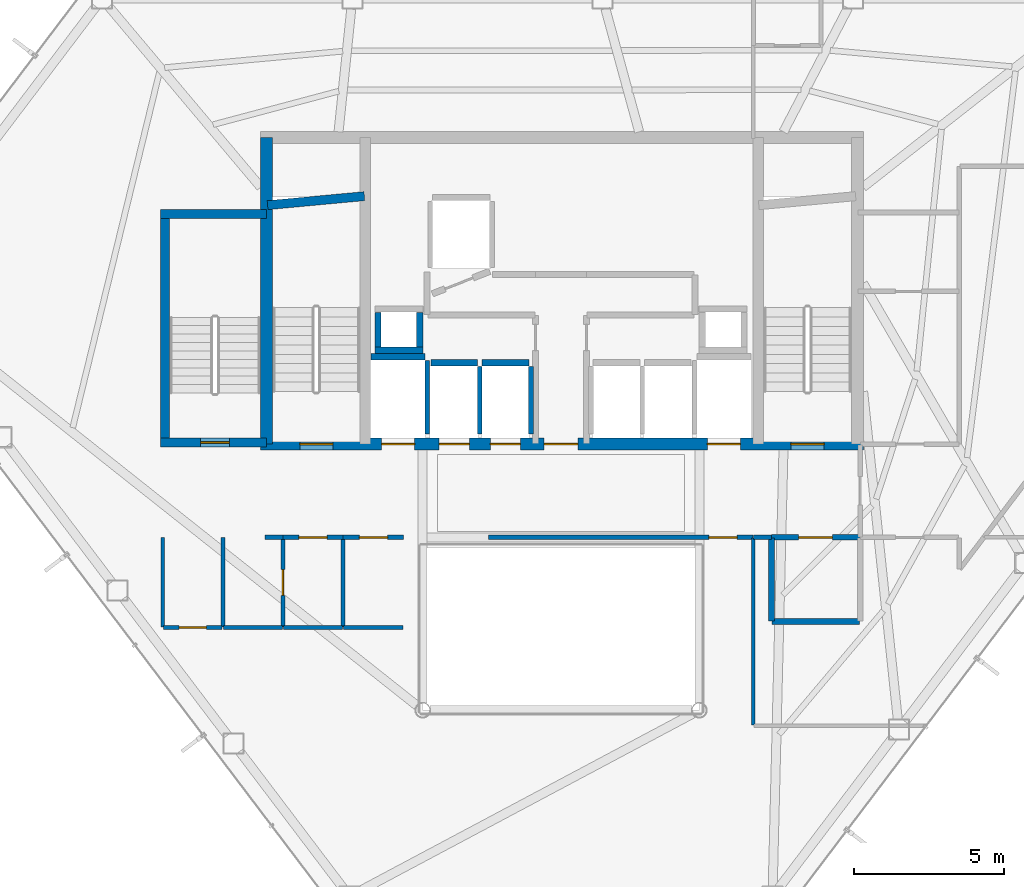
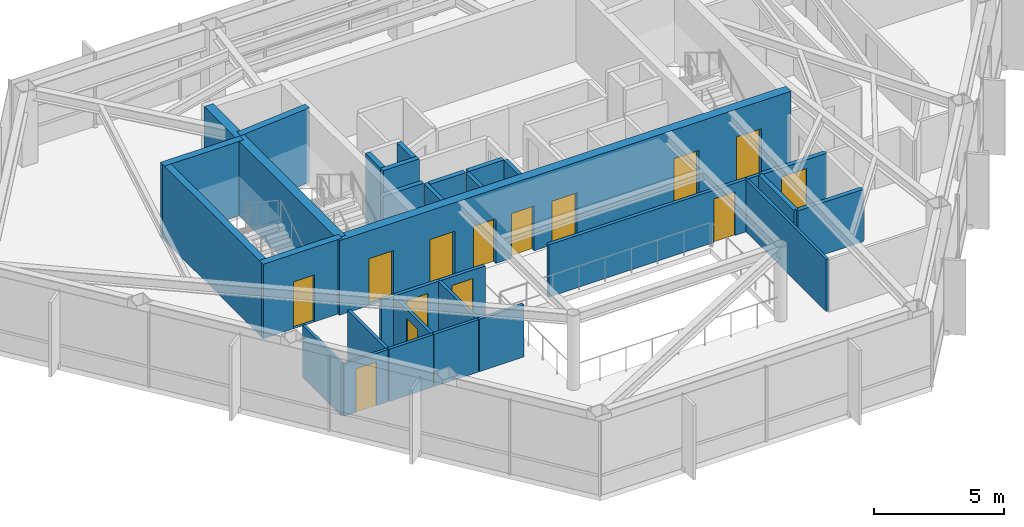
# One storey, part 24 of 27: 32 walls, 14 doors, 14 openings.
"""IFC4 building model written with IfcOpenShell, lengths in metres."""

from ifc_helpers import new_model, si_unit, direction, frame, frame_2d, origin, place, context, subcontext, project, spatial, rectangle, extrude, material, layer, layer_set, type_object, element, fill, save


model = new_model("IFC4")

# Units and contexts
model_context = context("Model", 3, precision=1e-05, world=origin(), true_north=direction((0.0, 1.0)))
body_context = subcontext(model_context, "Body", "Model", "MODEL_VIEW")
ifc_project = project(units=[si_unit("LENGTHUNIT", "METRE"), si_unit("AREAUNIT", "SQUARE_METRE"), si_unit("VOLUMEUNIT", "CUBIC_METRE"), si_unit("PLANEANGLEUNIT", "RADIAN"), si_unit("MASSUNIT", "GRAM", prefix="KILO")], contexts=[model_context])

# Site, building, storey
site_placement = place(None, origin())
site = spatial("IfcSite", under=ifc_project, at=site_placement, CompositionType="ELEMENT")
building_placement = place(site_placement, origin())
building = spatial("IfcBuilding", under=site, at=building_placement, Name="Zarrinselat Tower", CompositionType="ELEMENT")
storey_placement = place(building_placement, frame((0.0, 0.0, 179.52001953125)))
storey = spatial("IfcBuildingStorey", under=building, at=storey_placement, Name="L44", CompositionType="ELEMENT", Elevation=179.52001953125)

# Wall, opening, door
ifc_material_1 = material(Name="Concrete C40/50", Category="concrete")
ifc_layer_1 = layer(ifc_material_1, 0.18994140625)
ifc_layer_set_1 = layer_set([ifc_layer_1], Name="Concrete C40/50")
wall_type_1 = type_object("IfcWallType", Name="WAL-PART-EI120", PredefinedType="PARTITIONING", material=ifc_layer_set_1)
wall_1_placement = place(storey_placement, frame((45.405029296875, 30.14990234375, 0.0), z_axis=(0.0, 0.0, 1.0), x_axis=(1.0, 0.0, 0.0)))
wall_1 = element("IfcWall", 1, at=wall_1_placement, inside=storey, type_object=wall_type_1, Name="L44 Partition Wall 10", PredefinedType="PARTITIONING", context=body_context, shape_type="SweptSolid", body=[
    extrude(rectangle(XDim=2.925048828125, YDim=0.18994140625, at=frame_2d((1.46240234375, 0.0))), origin(), (0.0, 0.0, 1.0), 2.45703125),
])
opening_1_placement = place(wall_1_placement, frame((0.902587890625, 0.0, 0.0)))
opening_1 = element("IfcOpeningElement", 2, at=opening_1_placement, cuts=wall_1, Name="Opening ID-02", PredefinedType="OPENING", context=body_context, shape_type="SweptSolid", body=[
    extrude(rectangle(XDim=1.1201171875, YDim=2.050048828125, at=frame_2d((0.56005859375, 1.02490234375))), frame((0.0, 0.10498046875, 0.0), z_axis=(0.0, -1.0, 0.0), x_axis=(1.0, 0.0, 0.0)), (0.0, 0.0, 1.0), 0.2099609375),
])
ifc_material_2 = material(Name="Steel S355J2", Category="steel")
door_type_1 = type_object("IfcDoorType", Name="DR-INT-FD60-W", OperationType="NOTDEFINED", PredefinedType="DOOR", material=ifc_material_2)
door_1_placement = place(opening_1_placement, origin())
door_1 = element("IfcDoor", 3, at=door_1_placement, inside=storey, type_object=door_type_1, Name="L44 Interior Door P10", OperationType="SINGLE_SWING_RIGHT", OverallHeight=2.050048828125, OverallWidth=1.1201171875, PredefinedType="DOOR", context=body_context, shape_type="SweptSolid", body=[
    extrude(rectangle(XDim=1.1201171875, YDim=2.050048828125, at=frame_2d((0.56005859375, 1.02490234375))), frame((0.0, 0.02490234375, 0.0), z_axis=(0.0, -1.0, 0.0), x_axis=(1.0, 0.0, 0.0)), (0.0, 0.0, 1.0), 0.050048828125),
])
fill(opening_1, door_1)

# Walls
wall_2_placement = place(storey_placement, frame((45.419921875, 27.35009765625, 0.0), z_axis=(0.0, 0.0, 1.0), x_axis=(1.0, 0.0, 0.0)))
element("IfcWall", 4, at=wall_2_placement, inside=storey, type_object=wall_type_1, Name="L44 Partition Wall 17", PredefinedType="PARTITIONING", context=body_context, shape_type="SweptSolid", body=[
    extrude(rectangle(XDim=2.91015625, YDim=0.18994140625, at=frame_2d((1.455078125, 0.0))), origin(), (0.0, 0.0, 1.0), 2.45703125),
])
wall_3_placement = place(storey_placement, frame((45.39990234375, 27.3701171875, 0.0), z_axis=(0.0, 0.0, 1.0), x_axis=(0.0, 1.0, 0.0)))
element("IfcWall", 5, at=wall_3_placement, inside=storey, type_object=wall_type_1, Name="L44 Partition Wall 18", PredefinedType="PARTITIONING", context=body_context, shape_type="SweptSolid", body=[
    extrude(rectangle(XDim=2.759765625, YDim=0.18994140625, at=frame_2d((1.3798828125, 0.0))), origin(), (0.0, 0.0, 1.0), 2.45703125),
])
ifc_material_3 = material(Name="Fire-Rated Gypsum Board Partition", Category="gypsum")
ifc_layer_2 = layer(ifc_material_3, 0.14990234375)
ifc_layer_set_2 = layer_set([ifc_layer_2], Name="Fire-Rated Gypsum Board Partition")
wall_type_2 = type_object("IfcWallType", Name="WAL-PART-EI60", PredefinedType="PARTITIONING", material=ifc_layer_set_2)
wall_4_placement = place(storey_placement, frame((28.550048828125, 30.14990234375, 0.0), z_axis=(0.0, 0.0, 1.0), x_axis=(1.0, 0.0, 0.0)))
element("IfcWall", 6, at=wall_4_placement, inside=storey, type_object=wall_type_2, Name="L44 Partition Wall 12", PredefinedType="PARTITIONING", context=body_context, shape_type="SweptSolid", body=[
    extrude(rectangle(XDim=0.594970703125, YDim=0.14990234375, at=frame_2d((0.29736328125, 0.0))), origin(), (0.0, 0.0, 1.0), 2.45703125),
])

# Wall, opening, door
wall_5_placement = place(storey_placement, frame((29.155029296875, 30.14990234375, 0.0), z_axis=(0.0, 0.0, 1.0), x_axis=(1.0, 0.0, 0.0)))
wall_5 = element("IfcWall", 7, at=wall_5_placement, inside=storey, type_object=wall_type_2, Name="L44 Partition Wall 13", PredefinedType="PARTITIONING", context=body_context, shape_type="SweptSolid", body=[
    extrude(rectangle(XDim=1.989990234375, YDim=0.14990234375, at=frame_2d((0.9951171875, 0.0))), origin(), (0.0, 0.0, 1.0), 2.45703125),
])
opening_2_placement = place(wall_5_placement, frame((0.52490234375, 0.0, 0.0)))
opening_2 = element("IfcOpeningElement", 8, at=opening_2_placement, cuts=wall_5, Name="Opening ID-04", PredefinedType="OPENING", context=body_context, shape_type="SweptSolid", body=[
    extrude(rectangle(XDim=0.93994140625, YDim=2.050048828125, at=frame_2d((0.469970703125, 1.02490234375))), frame((0.0, 0.0849609375, 0.0), z_axis=(0.0, -1.0, 0.0), x_axis=(1.0, 0.0, 0.0)), (0.0, 0.0, 1.0), 0.169921875),
])
ifc_material_4 = material(Name="Fire-Rated Gypsum Board Partition")
door_type_2 = type_object("IfcDoorType", Name="DR-INT-FD30-ENT", OperationType="NOTDEFINED", PredefinedType="DOOR", material=ifc_material_4)
door_2_placement = place(opening_2_placement, origin())
door_2 = element("IfcDoor", 9, at=door_2_placement, inside=storey, type_object=door_type_2, Name="L44 Interior Door P13", OperationType="SINGLE_SWING_RIGHT", OverallHeight=2.050048828125, OverallWidth=0.93994140625, PredefinedType="DOOR", context=body_context, shape_type="SweptSolid", body=[
    extrude(rectangle(XDim=0.93994140625, YDim=2.050048828125, at=frame_2d((0.469970703125, 1.02490234375))), frame((0.0, 0.02490234375, 0.0), z_axis=(0.0, -1.0, 0.0), x_axis=(1.0, 0.0, 0.0)), (0.0, 0.0, 1.0), 0.050048828125),
])
fill(opening_2, door_2)

wall_6_placement = place(storey_placement, frame((31.155029296875, 30.14990234375, 0.0), z_axis=(0.0, 0.0, 1.0), x_axis=(1.0, 0.0, 0.0)))
wall_6 = element("IfcWall", 10, at=wall_6_placement, inside=storey, type_object=wall_type_2, Name="L44 Partition Wall 14", PredefinedType="PARTITIONING", context=body_context, shape_type="SweptSolid", body=[
    extrude(rectangle(XDim=2.010009765625, YDim=0.14990234375, at=frame_2d((1.0048828125, 0.0))), origin(), (0.0, 0.0, 1.0), 2.45703125),
])
opening_3_placement = place(wall_6_placement, frame((0.534912109375, 0.0, 0.0)))
opening_3 = element("IfcOpeningElement", 11, at=opening_3_placement, cuts=wall_6, Name="Opening ID-04", PredefinedType="OPENING", context=body_context, shape_type="SweptSolid", body=[
    extrude(rectangle(XDim=0.93994140625, YDim=2.050048828125, at=frame_2d((0.469970703125, 1.02490234375))), frame((0.0, 0.0849609375, 0.0), z_axis=(0.0, -1.0, 0.0), x_axis=(1.0, 0.0, 0.0)), (0.0, 0.0, 1.0), 0.169921875),
])
door_3_placement = place(opening_3_placement, origin())
door_3 = element("IfcDoor", 12, at=door_3_placement, inside=storey, type_object=door_type_2, Name="L44 Interior Door P14", OperationType="SINGLE_SWING_LEFT", OverallHeight=2.050048828125, OverallWidth=0.93994140625, PredefinedType="DOOR", context=body_context, shape_type="SweptSolid", body=[
    extrude(rectangle(XDim=0.93994140625, YDim=2.050048828125, at=frame_2d((0.469970703125, 1.02490234375))), frame((0.0, 0.02490234375, 0.0), z_axis=(0.0, -1.0, 0.0), x_axis=(1.0, 0.0, 0.0)), (0.0, 0.0, 1.0), 0.050048828125),
])
fill(opening_3, door_3)

wall_7_placement = place(storey_placement, frame((35.985107421875, 30.14990234375, 0.0), z_axis=(0.0, 0.0, 1.0), x_axis=(1.0, 0.0, 0.0)))
wall_7 = element("IfcWall", 13, at=wall_7_placement, inside=storey, type_object=wall_type_2, Name="L44 Partition Wall 15", PredefinedType="PARTITIONING", context=body_context, shape_type="SweptSolid", body=[
    extrude(rectangle(XDim=8.809814453125, YDim=0.14990234375, at=frame_2d((4.40478515625, 0.0))), origin(), (0.0, 0.0, 1.0), 2.45703125),
])
opening_4_placement = place(wall_7_placement, frame((7.3349609375, 0.0, 0.0)))
opening_4 = element("IfcOpeningElement", 14, at=opening_4_placement, cuts=wall_7, Name="Opening ID-04", PredefinedType="OPENING", context=body_context, shape_type="SweptSolid", body=[
    extrude(rectangle(XDim=0.93994140625, YDim=2.050048828125, at=frame_2d((0.469970703125, 1.02490234375))), frame((0.0, 0.0849609375, 0.0), z_axis=(0.0, -1.0, 0.0), x_axis=(1.0, 0.0, 0.0)), (0.0, 0.0, 1.0), 0.169921875),
])
door_4_placement = place(opening_4_placement, origin())
door_4 = element("IfcDoor", 15, at=door_4_placement, inside=storey, type_object=door_type_2, Name="L44 Interior Door P15", OperationType="SINGLE_SWING_RIGHT", OverallHeight=2.050048828125, OverallWidth=0.93994140625, PredefinedType="DOOR", context=body_context, shape_type="SweptSolid", body=[
    extrude(rectangle(XDim=0.93994140625, YDim=2.050048828125, at=frame_2d((0.469970703125, 1.02490234375))), frame((0.0, 0.02490234375, 0.0), z_axis=(0.0, -1.0, 0.0), x_axis=(1.0, 0.0, 0.0)), (0.0, 0.0, 1.0), 0.050048828125),
])
fill(opening_4, door_4)

# Wall
wall_8_placement = place(storey_placement, frame((44.804931640625, 30.14990234375, 0.0), z_axis=(0.0, 0.0, 1.0), x_axis=(1.0, 0.0, 0.0)))
element("IfcWall", 16, at=wall_8_placement, inside=storey, type_object=wall_type_2, Name="L44 Partition Wall 16", PredefinedType="PARTITIONING", context=body_context, shape_type="SweptSolid", body=[
    extrude(rectangle(XDim=0.590087890625, YDim=0.14990234375, at=frame_2d((0.294921875, 0.0))), origin(), (0.0, 0.0, 1.0), 2.45703125),
])

# Wall, opening, door
ifc_material_5 = material(Name="Fire-Rated Gypsum Board Partition", Category="gypsum")
ifc_layer_3 = layer(ifc_material_5, 0.1201171875)
ifc_layer_set_3 = layer_set([ifc_layer_3], Name="Fire-Rated Gypsum Board Partition")
wall_type_3 = type_object("IfcWallType", Name="WAL-PART-STD", PredefinedType="PARTITIONING", material=ifc_layer_set_3)
wall_9_placement = place(storey_placement, frame((25.169921875, 27.14990234375, 0.0), z_axis=(0.0, 0.0, 1.0), x_axis=(1.0, 0.0, 0.0)))
wall_9 = element("IfcWall", 17, at=wall_9_placement, inside=storey, type_object=wall_type_3, Name="L44 Partition Wall 31", PredefinedType="PARTITIONING", context=body_context, shape_type="SweptSolid", body=[
    extrude(rectangle(XDim=1.9599609375, YDim=0.1201171875, at=frame_2d((0.97998046875, 0.0))), origin(), (0.0, 0.0, 1.0), 2.45703125),
])
opening_5_placement = place(wall_9_placement, frame((0.530029296875, 0.0, 0.0)))
opening_5 = element("IfcOpeningElement", 18, at=opening_5_placement, cuts=wall_9, Name="Opening ID-05", PredefinedType="OPENING", context=body_context, shape_type="SweptSolid", body=[
    extrude(rectangle(XDim=0.89990234375, YDim=2.050048828125, at=frame_2d((0.449951171875, 1.02490234375))), frame((0.0, 0.070068359375, 0.0), z_axis=(0.0, -1.0, 0.0), x_axis=(1.0, 0.0, 0.0)), (0.0, 0.0, 1.0), 0.14013671875),
])
ifc_material_6 = material(Name="Extruded Aluminium Alloy EN AW-6063 T6", Category="aluminium")
door_type_3 = type_object("IfcDoorType", Name="DR-INT-STD-920", OperationType="NOTDEFINED", PredefinedType="DOOR", material=ifc_material_6)
door_5_placement = place(opening_5_placement, origin())
door_5 = element("IfcDoor", 19, at=door_5_placement, inside=storey, type_object=door_type_3, Name="L44 Interior Door P31", OperationType="SINGLE_SWING_LEFT", OverallHeight=2.050048828125, OverallWidth=0.89990234375, PredefinedType="DOOR", context=body_context, shape_type="SweptSolid", body=[
    extrude(rectangle(XDim=0.89990234375, YDim=2.050048828125, at=frame_2d((0.449951171875, 1.02490234375))), frame((0.0, 0.02490234375, 0.0), z_axis=(0.0, -1.0, 0.0), x_axis=(1.0, 0.0, 0.0)), (0.0, 0.0, 1.0), 0.050048828125),
])
fill(opening_5, door_5)

# Walls
wall_10_placement = place(storey_placement, frame((25.14990234375, 27.169921875, 0.0), z_axis=(0.0, 0.0, 1.0), x_axis=(0.0, 1.0, 0.0)))
element("IfcWall", 20, at=wall_10_placement, inside=storey, type_object=wall_type_3, Name="L44 Partition Wall 32", PredefinedType="PARTITIONING", context=body_context, shape_type="SweptSolid", body=[
    extrude(rectangle(XDim=2.97998046875, YDim=0.1201171875, at=frame_2d((1.489990234375, 0.0))), origin(), (0.0, 0.0, 1.0), 2.45703125),
])
wall_11_placement = place(storey_placement, frame((44.800048828125, 23.902587890625, 0.0), z_axis=(0.0, 0.0, 1.0), x_axis=(0.0, 1.0, 0.0)))
element("IfcWall", 21, at=wall_11_placement, inside=storey, type_object=wall_type_3, Name="L44 Partition Wall 38", PredefinedType="PARTITIONING", context=body_context, shape_type="SweptSolid", body=[
    extrude(rectangle(XDim=6.227294921875, YDim=0.1201171875, at=frame_2d((3.11376953125, 0.0))), origin(), (0.0, 0.0, 1.0), 2.45703125),
])
ifc_material_7 = material(Name="Fire-Rated Gypsum Board Partition", Category="gypsum")
ifc_layer_4 = layer(ifc_material_7, 0.135009765625)
ifc_layer_set_4 = layer_set([ifc_layer_4], Name="Fire-Rated Gypsum Board Partition")
wall_type_4 = type_object("IfcWallType", Name="WAL-PART-WET", PredefinedType="PARTITIONING", material=ifc_layer_set_4)
wall_12_placement = place(storey_placement, frame((27.14990234375, 27.169921875, 0.0), z_axis=(0.0, 0.0, 1.0), x_axis=(0.0, 1.0, 0.0)))
element("IfcWall", 22, at=wall_12_placement, inside=storey, type_object=wall_type_4, Name="L44 Partition Wall 30", PredefinedType="PARTITIONING", context=body_context, shape_type="SweptSolid", body=[
    extrude(rectangle(XDim=2.97998046875, YDim=0.135009765625, at=frame_2d((1.489990234375, 0.0))), origin(), (0.0, 0.0, 1.0), 2.45703125),
])

# Wall, opening, door
wall_13_placement = place(storey_placement, frame((29.14990234375, 27.169921875, 0.0), z_axis=(0.0, 0.0, 1.0), x_axis=(0.0, 1.0, 0.0)))
wall_13 = element("IfcWall", 23, at=wall_13_placement, inside=storey, type_object=wall_type_4, Name="L44 Partition Wall 33", PredefinedType="PARTITIONING", context=body_context, shape_type="SweptSolid", body=[
    extrude(rectangle(XDim=2.9599609375, YDim=0.135009765625, at=frame_2d((1.47998046875, 0.0))), origin(), (0.0, 0.0, 1.0), 2.45703125),
])
opening_6_placement = place(wall_13_placement, frame((1.050048828125, 0.0, 0.0)))
opening_6 = element("IfcOpeningElement", 24, at=opening_6_placement, cuts=wall_13, Name="Opening ID-06", PredefinedType="OPENING", context=body_context, shape_type="SweptSolid", body=[
    extrude(rectangle(XDim=0.860107421875, YDim=2.050048828125, at=frame_2d((0.43017578125, 1.02490234375))), frame((0.0, 0.077392578125, 0.0), z_axis=(0.0, -1.0, 0.0), x_axis=(1.0, 0.0, 0.0)), (0.0, 0.0, 1.0), 0.155029296875),
])
ifc_material_8 = material(Name="Extruded Aluminium Alloy EN AW-6063 T6", Category="aluminium")
door_type_4 = type_object("IfcDoorType", Name="DR-INT-WET-900", OperationType="NOTDEFINED", PredefinedType="DOOR", material=ifc_material_8)
door_6_placement = place(opening_6_placement, origin())
door_6 = element("IfcDoor", 25, at=door_6_placement, inside=storey, type_object=door_type_4, Name="L44 Interior Door P33", OperationType="SINGLE_SWING_RIGHT", OverallHeight=2.050048828125, OverallWidth=0.860107421875, PredefinedType="DOOR", context=body_context, shape_type="SweptSolid", body=[
    extrude(rectangle(XDim=0.860107421875, YDim=2.050048828125, at=frame_2d((0.43017578125, 1.02490234375))), frame((0.0, 0.02490234375, 0.0), z_axis=(0.0, -1.0, 0.0), x_axis=(1.0, 0.0, 0.0)), (0.0, 0.0, 1.0), 0.050048828125),
])
fill(opening_6, door_6)

# Walls
wall_14_placement = place(storey_placement, frame((27.169921875, 27.14990234375, 0.0), z_axis=(0.0, 0.0, 1.0), x_axis=(1.0, 0.0, 0.0)))
element("IfcWall", 26, at=wall_14_placement, inside=storey, type_object=wall_type_4, Name="L44 Partition Wall 34", PredefinedType="PARTITIONING", context=body_context, shape_type="SweptSolid", body=[
    extrude(rectangle(XDim=1.9599609375, YDim=0.135009765625, at=frame_2d((0.97998046875, 0.0))), origin(), (0.0, 0.0, 1.0), 2.45703125),
])
wall_15_placement = place(storey_placement, frame((31.14990234375, 27.169921875, 0.0), z_axis=(0.0, 0.0, 1.0), x_axis=(0.0, 1.0, 0.0)))
element("IfcWall", 27, at=wall_15_placement, inside=storey, type_object=wall_type_4, Name="L44 Partition Wall 35", PredefinedType="PARTITIONING", context=body_context, shape_type="SweptSolid", body=[
    extrude(rectangle(XDim=2.9599609375, YDim=0.135009765625, at=frame_2d((1.47998046875, 0.0))), origin(), (0.0, 0.0, 1.0), 2.45703125),
])
wall_16_placement = place(storey_placement, frame((29.169921875, 27.14990234375, 0.0), z_axis=(0.0, 0.0, 1.0), x_axis=(1.0, 0.0, 0.0)))
element("IfcWall", 28, at=wall_16_placement, inside=storey, type_object=wall_type_4, Name="L44 Partition Wall 36", PredefinedType="PARTITIONING", context=body_context, shape_type="SweptSolid", body=[
    extrude(rectangle(XDim=1.9599609375, YDim=0.135009765625, at=frame_2d((0.97998046875, 0.0))), origin(), (0.0, 0.0, 1.0), 2.45703125),
])
wall_17_placement = place(storey_placement, frame((31.169921875, 27.14990234375, 0.0), z_axis=(0.0, 0.0, 1.0), x_axis=(1.0, 0.0, 0.0)))
element("IfcWall", 29, at=wall_17_placement, inside=storey, type_object=wall_type_4, Name="L44 Partition Wall 37", PredefinedType="PARTITIONING", context=body_context, shape_type="SweptSolid", body=[
    extrude(rectangle(XDim=1.97998046875, YDim=0.135009765625, at=frame_2d((0.989990234375, 0.0))), origin(), (0.0, 0.0, 1.0), 2.45703125),
])
ifc_material_9 = material(Name="Concrete C40/50", Category="concrete")
ifc_layer_5 = layer(ifc_material_9, 0.2099609375)
ifc_layer_set_5 = layer_set([ifc_layer_5], Name="Concrete C40/50")
wall_type_5 = type_object("IfcWallType", Name="WAL-SHAFT-210", PredefinedType="SOLIDWALL", material=ifc_layer_set_5)
wall_18_placement = place(storey_placement, frame((32.080078125, 36.155029296875, 0.0), z_axis=(0.0, 0.0, 1.0), x_axis=(1.0, 0.0, 0.0)))
element("IfcWall", 30, at=wall_18_placement, inside=storey, type_object=wall_type_5, Name="L44 Lift FFL1 North Shaft Wall", PredefinedType="SOLIDWALL", context=body_context, shape_type="SweptSolid", body=[
    extrude(rectangle(XDim=1.7998046875, YDim=0.2099609375, at=frame_2d((0.89990234375, 0.0))), origin(), (0.0, 0.0, 1.0), 2.471923828125),
])
wall_19_placement = place(storey_placement, frame((33.949951171875, 33.580078125, 0.0), z_axis=(0.0, 0.0, 1.0), x_axis=(0.0, 1.0, 0.0)))
element("IfcWall", 31, at=wall_19_placement, inside=storey, type_object=wall_type_5, Name="L44 Lift FFL1 E Shaft Wall", PredefinedType="SOLIDWALL", context=body_context, shape_type="SweptSolid", body=[
    extrude(rectangle(XDim=2.449951171875, YDim=0.159912109375, at=frame_2d((1.22509765625, 0.0))), origin(), (0.0, 0.0, 1.0), 2.471923828125),
])
wall_20_placement = place(storey_placement, frame((34.070068359375, 35.955078125, 0.0), z_axis=(0.0, 0.0, 1.0), x_axis=(1.0, 0.0, 0.0)))
element("IfcWall", 32, at=wall_20_placement, inside=storey, type_object=wall_type_5, Name="L44 Lift PL5 North Shaft Wall", PredefinedType="SOLIDWALL", context=body_context, shape_type="SweptSolid", body=[
    extrude(rectangle(XDim=1.559814453125, YDim=0.2099609375, at=frame_2d((0.77978515625, 0.0))), origin(), (0.0, 0.0, 1.0), 2.471923828125),
])
wall_21_placement = place(storey_placement, frame((35.699951171875, 33.580078125, 0.0), z_axis=(0.0, 0.0, 1.0), x_axis=(0.0, 1.0, 0.0)))
element("IfcWall", 33, at=wall_21_placement, inside=storey, type_object=wall_type_5, Name="L44 Lift PL5 E Shaft Wall", PredefinedType="SOLIDWALL", context=body_context, shape_type="SweptSolid", body=[
    extrude(rectangle(XDim=2.25, YDim=0.159912109375, at=frame_2d((1.125, 0.0))), origin(), (0.0, 0.0, 1.0), 2.471923828125),
])
wall_22_placement = place(storey_placement, frame((35.77001953125, 35.955078125, 0.0), z_axis=(0.0, 0.0, 1.0), x_axis=(1.0, 0.0, 0.0)))
element("IfcWall", 34, at=wall_22_placement, inside=storey, type_object=wall_type_5, Name="L44 Lift PL6 North Shaft Wall", PredefinedType="SOLIDWALL", context=body_context, shape_type="SweptSolid", body=[
    extrude(rectangle(XDim=1.56005859375, YDim=0.2099609375, at=frame_2d((0.780029296875, 0.0))), origin(), (0.0, 0.0, 1.0), 2.471923828125),
])
wall_23_placement = place(storey_placement, frame((37.39990234375, 33.580078125, 0.0), z_axis=(0.0, 0.0, 1.0), x_axis=(0.0, 1.0, 0.0)))
element("IfcWall", 35, at=wall_23_placement, inside=storey, type_object=wall_type_5, Name="L44 Lift PL6 E Shaft Wall", PredefinedType="SOLIDWALL", context=body_context, shape_type="SweptSolid", body=[
    extrude(rectangle(XDim=2.25, YDim=0.159912109375, at=frame_2d((1.125, 0.0))), origin(), (0.0, 0.0, 1.0), 2.471923828125),
])
wall_24_placement = place(storey_placement, frame((32.2099609375, 36.375, 0.0), z_axis=(0.0, 0.0, 1.0), x_axis=(1.0, 0.0, 0.0)))
element("IfcWall", 36, at=wall_24_placement, inside=storey, type_object=wall_type_5, Name="L44 Core Riser RSR-W S Shaft Wall", PredefinedType="SOLIDWALL", context=body_context, shape_type="SweptSolid", body=[
    extrude(rectangle(XDim=1.60009765625, YDim=0.2099609375, at=frame_2d((0.800048828125, 0.0))), origin(), (0.0, 0.0, 1.0), 3.5),
])
for number, where, z_axis, x_axis, name in (
    (37, (32.31494140625, 36.485107421875, 0.0), (0.0, 0.0, 1.0), (0.0, 1.0, 0.0), "L44 Core Riser RSR-W W Shaft Wall"),
    (38, (33.705078125, 36.485107421875, 0.0), (0.0, 0.0, 1.0), (0.0, 1.0, 0.0), "L44 Core Riser RSR-W E Shaft Wall"),
):
    element("IfcWall", number, at=place(storey_placement, frame(where, z_axis=z_axis, x_axis=x_axis)), inside=storey, type_object=wall_type_5, Name=name, PredefinedType="SOLIDWALL", context=body_context, shape_type="SweptSolid", body=[
        extrude(rectangle(XDim=1.14990234375, YDim=0.2099609375, at=frame_2d((0.574951171875, 0.0))), origin(), (0.0, 0.0, 1.0), 3.5),
    ])
ifc_material_10 = material(Name="Concrete C40/50", Category="concrete")
ifc_layer_6 = layer(ifc_material_10, 0.300048828125)
ifc_layer_set_6 = layer_set([ifc_layer_6], Name="Concrete C40/50")
wall_type_6 = type_object("IfcWallType", Name="WAL-SHEAR-300", PredefinedType="SHEAR", material=ifc_layer_set_6)
wall_25_placement = place(storey_placement, frame((28.639892578125, 41.199951171875, 0.0), z_axis=(0.0, 0.0, 1.0), x_axis=(0.995687118776, 0.092774789157, 0.0)))
element("IfcWall", 39, at=wall_25_placement, inside=storey, type_object=wall_type_6, Name="L44 Stair 1 North Shaft Wall", PredefinedType="SHEAR", context=body_context, shape_type="SweptSolid", body=[
    extrude(rectangle(XDim=3.234130859375, YDim=0.300048828125, at=frame_2d((1.6171875, 0.0))), origin(), (0.0, 0.0, 1.0), 3.5),
])
wall_26_placement = place(storey_placement, frame((25.080078125, 40.89990234375, 0.0), z_axis=(0.0, 0.0, 1.0), x_axis=(1.0, 0.0, 0.0)))
element("IfcWall", 40, at=wall_26_placement, inside=storey, type_object=wall_type_6, Name="L44 Stair 3 North Shear Wall", PredefinedType="SHEAR", context=body_context, shape_type="SweptSolid", body=[
    extrude(rectangle(XDim=3.52001953125, YDim=0.300048828125, at=frame_2d((1.760009765625, 0.0))), origin(), (0.0, 0.0, 1.0), 3.5),
])

# Wall, opening, door
wall_27_placement = place(storey_placement, frame((25.080078125, 33.300048828125, 0.0), z_axis=(0.0, 0.0, 1.0), x_axis=(1.0, 0.0, 0.0)))
wall_27 = element("IfcWall", 41, at=wall_27_placement, inside=storey, type_object=wall_type_6, Name="L44 Stair 3 South Shear Wall", PredefinedType="SHEAR", context=body_context, shape_type="SweptSolid", body=[
    extrude(rectangle(XDim=3.52001953125, YDim=0.300048828125, at=frame_2d((1.760009765625, 0.0))), origin(), (0.0, 0.0, 1.0), 3.5),
])
opening_7_placement = place(wall_27_placement, frame((1.3349609375, 0.0, 0.0)))
opening_7 = element("IfcOpeningElement", 42, at=opening_7_placement, cuts=wall_27, Name="Opening SD-02", PredefinedType="OPENING", context=body_context, shape_type="SweptSolid", body=[
    extrude(rectangle(XDim=0.949951171875, YDim=2.199951171875, at=frame_2d((0.47509765625, 1.10009765625))), frame((0.0, 0.159912109375, 0.0), z_axis=(0.0, -1.0, 0.0), x_axis=(1.0, 0.0, 0.0)), (0.0, 0.0, 1.0), 0.320068359375),
])
ifc_material_11 = material(Name="Steel S355J2", Category="steel")
door_type_5 = type_object("IfcDoorType", Name="DR-STAIR-1050", OperationType="NOTDEFINED", PredefinedType="DOOR", material=ifc_material_11)
door_7_placement = place(opening_7_placement, origin())
door_7 = element("IfcDoor", 43, at=door_7_placement, inside=storey, type_object=door_type_5, Name="L44 Exit Stair 3 Fire Door", OperationType="SINGLE_SWING_LEFT", OverallHeight=2.199951171875, OverallWidth=0.949951171875, PredefinedType="DOOR", context=body_context, shape_type="SweptSolid", body=[
    extrude(rectangle(XDim=0.949951171875, YDim=2.199951171875, at=frame_2d((0.47509765625, 1.10009765625))), frame((0.0, 0.02490234375, 0.0), z_axis=(0.0, -1.0, 0.0), x_axis=(1.0, 0.0, 0.0)), (0.0, 0.0, 1.0), 0.050048828125),
])
fill(opening_7, door_7)

# Wall
wall_28_placement = place(storey_placement, frame((25.22998046875, 33.300048828125, 0.0), z_axis=(0.0, 0.0, 1.0), x_axis=(0.0, 1.0, 0.0)))
element("IfcWall", 44, at=wall_28_placement, inside=storey, type_object=wall_type_6, Name="L44 Stair 3 West Shear Wall", PredefinedType="SHEAR", context=body_context, shape_type="SweptSolid", body=[
    extrude(rectangle(XDim=7.599853515625, YDim=0.300048828125, at=frame_2d((3.7998046875, 0.0))), origin(), (0.0, 0.0, 1.0), 3.5),
])

# Wall, openings, doors
ifc_material_12 = material(Name="Concrete C60/75", Category="concrete")
ifc_layer_7 = layer(ifc_material_12, 0.39990234375)
ifc_layer_set_7 = layer_set([ifc_layer_7], Name="Concrete C60/75")
wall_type_7 = type_object("IfcWallType", Name="WAL-SHEAR-400", PredefinedType="SHEAR", material=ifc_layer_set_7)
wall_29_placement = place(storey_placement, frame((28.39990234375, 33.25, 0.0), z_axis=(0.0, 0.0, 1.0), x_axis=(1.0, 0.0, 0.0)))
wall_29 = element("IfcWall", 45, at=wall_29_placement, inside=storey, type_object=wall_type_7, Name="L44 South Core Shear Wall", PredefinedType="SHEAR", context=body_context, shape_type="SweptSolid", body=[
    extrude(rectangle(XDim=20.06005859375, YDim=0.39990234375, at=frame_2d((10.030029296875, 0.0))), origin(), (0.0, 0.0, 1.0), 3.5),
])
opening_8_placement = place(wall_29_placement, frame((4.030029296875, 0.0, 0.0)))
opening_8 = element("IfcOpeningElement", 46, at=opening_8_placement, cuts=wall_29, Name="Opening LD-FFL1", PredefinedType="OPENING", context=body_context, shape_type="SweptSolid", body=[
    extrude(rectangle(XDim=1.10009765625, YDim=2.14990234375, at=frame_2d((0.550048828125, 1.074951171875))), frame((0.0, 0.2099609375, 0.0), z_axis=(0.0, -1.0, 0.0), x_axis=(1.0, 0.0, 0.0)), (0.0, 0.0, 1.0), 0.419921875),
])
opening_9_placement = place(wall_29_placement, frame((14.8701171875, 0.0, 0.0)))
opening_9 = element("IfcOpeningElement", 47, at=opening_9_placement, cuts=wall_29, Name="Opening LD-FFL2", PredefinedType="OPENING", context=body_context, shape_type="SweptSolid", body=[
    extrude(rectangle(XDim=1.10009765625, YDim=2.14990234375, at=frame_2d((0.550048828125, 1.074951171875))), frame((0.0, 0.2099609375, 0.0), z_axis=(0.0, -1.0, 0.0), x_axis=(1.0, 0.0, 0.0)), (0.0, 0.0, 1.0), 0.419921875),
])
opening_10_placement = place(wall_29_placement, frame((5.949951171875, 0.0, 0.0)))
opening_10 = element("IfcOpeningElement", 48, at=opening_10_placement, cuts=wall_29, Name="Opening LD-PL5", PredefinedType="OPENING", context=body_context, shape_type="SweptSolid", body=[
    extrude(rectangle(XDim=1.0, YDim=2.10009765625, at=frame_2d((0.5, 1.050048828125))), frame((0.0, 0.2099609375, 0.0), z_axis=(0.0, -1.0, 0.0), x_axis=(1.0, 0.0, 0.0)), (0.0, 0.0, 1.0), 0.419921875),
])
opening_11_placement = place(wall_29_placement, frame((7.64990234375, 0.0, 0.0)))
opening_11 = element("IfcOpeningElement", 49, at=opening_11_placement, cuts=wall_29, Name="Opening LD-PL6", PredefinedType="OPENING", context=body_context, shape_type="SweptSolid", body=[
    extrude(rectangle(XDim=1.0, YDim=2.10009765625, at=frame_2d((0.5, 1.050048828125))), frame((0.0, 0.2099609375, 0.0), z_axis=(0.0, -1.0, 0.0), x_axis=(1.0, 0.0, 0.0)), (0.0, 0.0, 1.0), 0.419921875),
])
opening_12_placement = place(wall_29_placement, frame((1.31005859375, 0.0, 0.0)))
opening_12 = element("IfcOpeningElement", 50, at=opening_12_placement, cuts=wall_29, Name="Opening SD-01", PredefinedType="OPENING", context=body_context, shape_type="SweptSolid", body=[
    extrude(rectangle(XDim=1.10009765625, YDim=2.199951171875, at=frame_2d((0.550048828125, 1.10009765625))), frame((0.0, 0.2099609375, 0.0), z_axis=(0.0, -1.0, 0.0), x_axis=(1.0, 0.0, 0.0)), (0.0, 0.0, 1.0), 0.419921875),
])
opening_13_placement = place(wall_29_placement, frame((9.43994140625, 0.0, 0.0)))
opening_13 = element("IfcOpeningElement", 51, at=opening_13_placement, cuts=wall_29, Name="Opening ID-02", PredefinedType="OPENING", context=body_context, shape_type="SweptSolid", body=[
    extrude(rectangle(XDim=1.1201171875, YDim=2.050048828125, at=frame_2d((0.56005859375, 1.02490234375))), frame((0.0, 0.2099609375, 0.0), z_axis=(0.0, -1.0, 0.0), x_axis=(1.0, 0.0, 0.0)), (0.0, 0.0, 1.0), 0.419921875),
])
opening_14_placement = place(wall_29_placement, frame((17.64990234375, 0.0, 0.0)))
opening_14 = element("IfcOpeningElement", 52, at=opening_14_placement, cuts=wall_29, Name="Opening SD-01", PredefinedType="OPENING", context=body_context, shape_type="SweptSolid", body=[
    extrude(rectangle(XDim=1.10009765625, YDim=2.199951171875, at=frame_2d((0.550048828125, 1.10009765625))), frame((0.0, 0.2099609375, 0.0), z_axis=(0.0, -1.0, 0.0), x_axis=(1.0, 0.0, 0.0)), (0.0, 0.0, 1.0), 0.419921875),
])
door_8_placement = place(opening_13_placement, origin())
door_8 = element("IfcDoor", 53, at=door_8_placement, inside=storey, type_object=door_type_1, Name="L44 Core Service Vestibule Fire Door", OperationType="SINGLE_SWING_RIGHT", OverallHeight=2.050048828125, OverallWidth=1.1201171875, PredefinedType="DOOR", context=body_context, shape_type="SweptSolid", body=[
    extrude(rectangle(XDim=1.1201171875, YDim=2.050048828125, at=frame_2d((0.56005859375, 1.02490234375))), frame((0.0, 0.02490234375, 0.0), z_axis=(0.0, -1.0, 0.0), x_axis=(1.0, 0.0, 0.0)), (0.0, 0.0, 1.0), 0.050048828125),
])
fill(opening_13, door_8)
ifc_material_13 = material(Name="Steel S355J2", Category="steel")
door_type_6 = type_object("IfcDoorType", Name="DR-LIFT-FF-1100", OperationType="NOTDEFINED", PredefinedType="DOOR", material=ifc_material_13)
door_9_placement = place(opening_8_placement, origin())
door_9 = element("IfcDoor", 54, at=door_9_placement, inside=storey, type_object=door_type_6, Name="L44 Lift FFL1 Sliding Landing Door", OperationType="SLIDING_TO_LEFT", OverallHeight=2.14990234375, OverallWidth=1.10009765625, PredefinedType="DOOR", context=body_context, shape_type="SweptSolid", body=[
    extrude(rectangle(XDim=1.10009765625, YDim=2.14990234375, at=frame_2d((0.550048828125, 1.074951171875))), frame((0.0, 0.02490234375, 0.0), z_axis=(0.0, -1.0, 0.0), x_axis=(1.0, 0.0, 0.0)), (0.0, 0.0, 1.0), 0.050048828125),
])
fill(opening_8, door_9)
door_10_placement = place(opening_9_placement, origin())
door_10 = element("IfcDoor", 55, at=door_10_placement, inside=storey, type_object=door_type_6, Name="L44 Lift FFL2 Sliding Landing Door", OperationType="SLIDING_TO_RIGHT", OverallHeight=2.14990234375, OverallWidth=1.10009765625, PredefinedType="DOOR", context=body_context, shape_type="SweptSolid", body=[
    extrude(rectangle(XDim=1.10009765625, YDim=2.14990234375, at=frame_2d((0.550048828125, 1.074951171875))), frame((0.0, 0.02490234375, 0.0), z_axis=(0.0, -1.0, 0.0), x_axis=(1.0, 0.0, 0.0)), (0.0, 0.0, 1.0), 0.050048828125),
])
fill(opening_9, door_10)
ifc_material_14 = material(Name="Steel S355J2", Category="steel")
door_type_7 = type_object("IfcDoorType", Name="DR-LIFT-PS-1000", OperationType="NOTDEFINED", PredefinedType="DOOR", material=ifc_material_14)
door_11_placement = place(opening_10_placement, origin())
door_11 = element("IfcDoor", 56, at=door_11_placement, inside=storey, type_object=door_type_7, Name="L44 Lift PL5 Sliding Landing Door", OperationType="SLIDING_TO_LEFT", OverallHeight=2.10009765625, OverallWidth=1.0, PredefinedType="DOOR", context=body_context, shape_type="SweptSolid", body=[
    extrude(rectangle(XDim=1.0, YDim=2.10009765625, at=frame_2d((0.5, 1.050048828125))), frame((0.0, 0.02490234375, 0.0), z_axis=(0.0, -1.0, 0.0), x_axis=(1.0, 0.0, 0.0)), (0.0, 0.0, 1.0), 0.050048828125),
])
fill(opening_10, door_11)
door_12_placement = place(opening_11_placement, origin())
door_12 = element("IfcDoor", 57, at=door_12_placement, inside=storey, type_object=door_type_7, Name="L44 Lift PL6 Sliding Landing Door", OperationType="SLIDING_TO_RIGHT", OverallHeight=2.10009765625, OverallWidth=1.0, PredefinedType="DOOR", context=body_context, shape_type="SweptSolid", body=[
    extrude(rectangle(XDim=1.0, YDim=2.10009765625, at=frame_2d((0.5, 1.050048828125))), frame((0.0, 0.02490234375, 0.0), z_axis=(0.0, -1.0, 0.0), x_axis=(1.0, 0.0, 0.0)), (0.0, 0.0, 1.0), 0.050048828125),
])
fill(opening_11, door_12)
ifc_material_15 = material(Name="Steel S355J2", Category="steel")
door_type_8 = type_object("IfcDoorType", Name="DR-STAIR-1100", OperationType="NOTDEFINED", PredefinedType="DOOR", material=ifc_material_15)
door_13_placement = place(opening_12_placement, origin())
door_13 = element("IfcDoor", 58, at=door_13_placement, inside=storey, type_object=door_type_8, Name="L44 Exit Stair 1 Fire Door", OperationType="SINGLE_SWING_LEFT", OverallHeight=2.199951171875, OverallWidth=1.10009765625, PredefinedType="DOOR", context=body_context, shape_type="SweptSolid", body=[
    extrude(rectangle(XDim=1.10009765625, YDim=2.199951171875, at=frame_2d((0.550048828125, 1.10009765625))), frame((0.0, 0.02490234375, 0.0), z_axis=(0.0, -1.0, 0.0), x_axis=(1.0, 0.0, 0.0)), (0.0, 0.0, 1.0), 0.050048828125),
])
fill(opening_12, door_13)
door_14_placement = place(opening_14_placement, origin())
door_14 = element("IfcDoor", 59, at=door_14_placement, inside=storey, type_object=door_type_8, Name="L44 Exit Stair 2 Fire Door", OperationType="SINGLE_SWING_RIGHT", OverallHeight=2.199951171875, OverallWidth=1.10009765625, PredefinedType="DOOR", context=body_context, shape_type="SweptSolid", body=[
    extrude(rectangle(XDim=1.10009765625, YDim=2.199951171875, at=frame_2d((0.550048828125, 1.10009765625))), frame((0.0, 0.02490234375, 0.0), z_axis=(0.0, -1.0, 0.0), x_axis=(1.0, 0.0, 0.0)), (0.0, 0.0, 1.0), 0.050048828125),
])
fill(opening_14, door_14)

# Wall
wall_30_placement = place(storey_placement, frame((28.60009765625, 33.25, 0.0), z_axis=(0.0, 0.0, 1.0), x_axis=(0.0, 1.0, 0.0)))
element("IfcWall", 60, at=wall_30_placement, inside=storey, type_object=wall_type_7, Name="L44 Core Shear Wall W", PredefinedType="SHEAR", context=body_context, shape_type="SweptSolid", body=[
    extrude(rectangle(XDim=10.199951171875, YDim=0.39990234375, at=frame_2d((5.10009765625, 0.0))), origin(), (0.0, 0.0, 1.0), 3.5),
])

save(model, "model.ifc")
